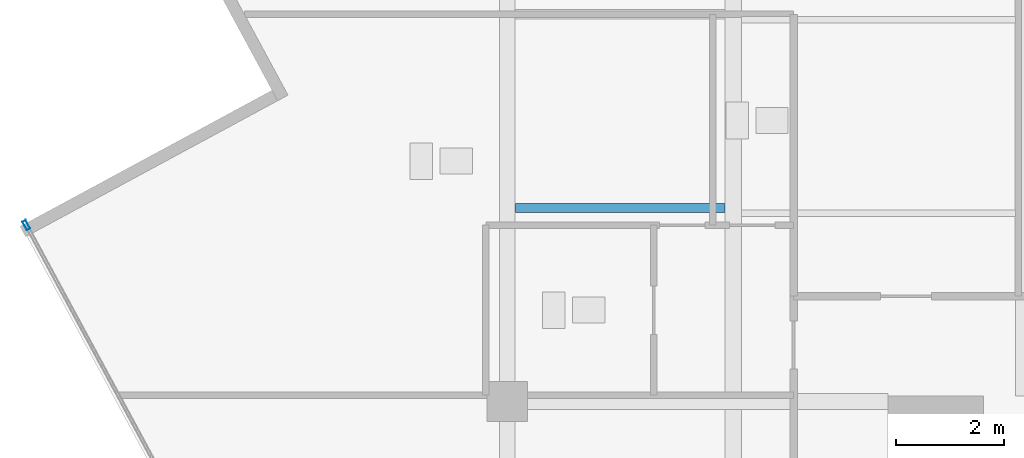
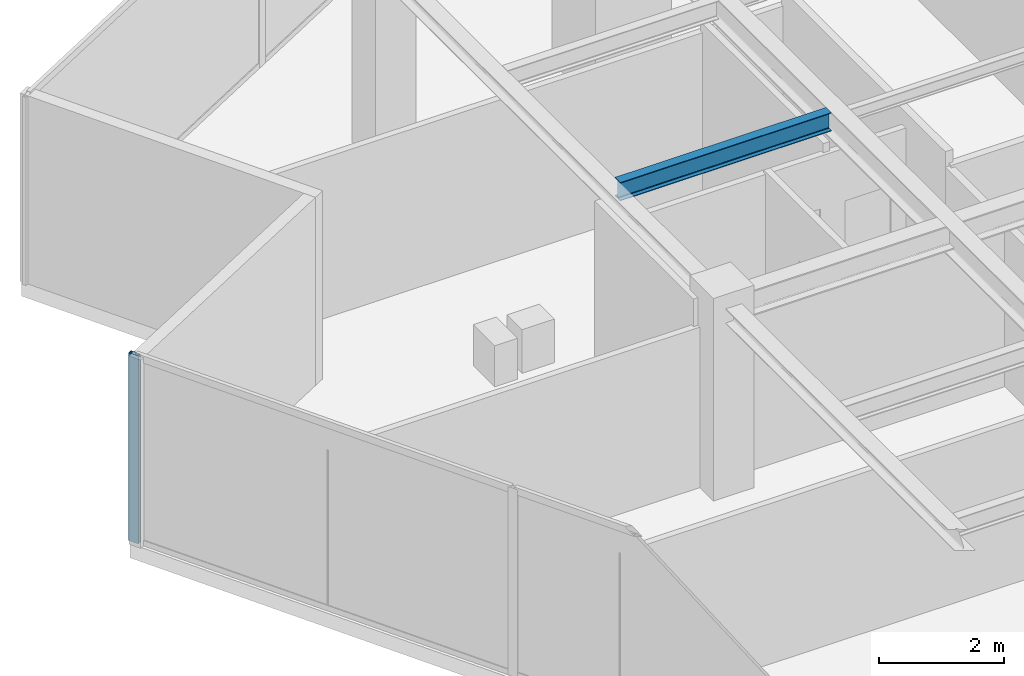
# One storey, part 6 of 22: 1 beam, 1 member, 1 element without a shape of its own.
"""IFC4 building model written with IfcOpenShell, lengths in metres."""

import ifcopenshell
import ifcopenshell.guid

model = None  # the IFC model being written
_history = None  # IfcOwnerHistory: only IFC2X3 demands one
_inside = {}  # id of a spatial element -> (the spatial element, [elements in it])
_under = {}  # id of a project, library or spatial element -> (it, [spatial elements below it])
_declared = {}  # id of a project -> (the project, [libraries it declares])
_typed = {}  # id of a type object -> (the type object, [elements of that type])
_made_of = {}  # id of a material, layer set ... -> (it, [elements and type objects made of it])


def new_model(schema):
    """Start an empty IFC model of exactly this schema.

    Asked for "IFC4X3", IfcOpenShell would pick the latest addendum, in which some entities
    have other attributes; the version numbers below select the first issue.
    IFC2X3 requires an IfcOwnerHistory on every rooted entity: one is made here for all.
    """
    global model, _history
    if schema == "IFC4X3":
        model = ifcopenshell.file(schema_version=(4, 3, 0, 0))
    else:
        model = ifcopenshell.file(schema=schema)
    _inside.clear()
    _under.clear()
    _declared.clear()
    _typed.clear()
    _made_of.clear()
    _history = None
    if model.schema == "IFC2X3":
        org = make("IfcOrganization", Name="unknown")
        user = make(
            "IfcPersonAndOrganization",
            ThePerson=make("IfcPerson", FamilyName="unknown"),
            TheOrganization=org,
        )
        app = make(
            "IfcApplication",
            ApplicationDeveloper=org,
            Version="unknown",
            ApplicationFullName="unknown",
            ApplicationIdentifier="unknown",
        )
        _history = make(
            "IfcOwnerHistory",
            OwningUser=user,
            OwningApplication=app,
            ChangeAction="ADDED",
            CreationDate=0,
        )
    return model


def make(cls, **values):
    """One entity of the class cls with the attributes given. An attribute that is None is left unset."""
    return model.create_entity(
        cls, **{name: value for name, value in values.items() if value is not None}
    )


def rooted(cls, **values):
    """An entity with a GlobalId (a new one), such as an element, a storey or a relation."""
    return make(cls, GlobalId=ifcopenshell.guid.new(), OwnerHistory=_history, **values)


def si_unit(unit_type, name, prefix=None):
    """IfcSIUnit, for example si_unit("LENGTHUNIT", "METRE", prefix="MILLI")."""
    return make("IfcSIUnit", UnitType=unit_type, Prefix=prefix, Name=name)


def assignment(units):
    """IfcUnitAssignment: the units of a project."""
    return None if units is None else make("IfcUnitAssignment", Units=units)


def point(xyz):
    """IfcCartesianPoint."""
    return None if xyz is None else make("IfcCartesianPoint", Coordinates=xyz)


def direction(xyz):
    """IfcDirection."""
    return None if xyz is None else make("IfcDirection", DirectionRatios=xyz)


def frame(location, z_axis=None, x_axis=None):
    """IfcAxis2Placement3D, a coordinate frame: its origin and axes. An axis left out is left unset."""
    return make(
        "IfcAxis2Placement3D",
        Location=point(location),
        Axis=direction(z_axis),
        RefDirection=direction(x_axis),
    )


def frame_2d(location, x_axis=None):
    """IfcAxis2Placement2D, a coordinate frame in the plane: its origin and x axis."""
    return make(
        "IfcAxis2Placement2D", Location=point(location), RefDirection=direction(x_axis)
    )


def origin():
    """The frame at (0, 0, 0) with its axes left unset."""
    return frame((0.0, 0.0, 0.0))


def origin_2d():
    """The frame at (0, 0) in the plane with its x axis left unset."""
    return frame_2d((0.0, 0.0))


def place(relative_to, where):
    """IfcLocalPlacement: puts the frame where relative to a parent placement (None: the world)."""
    return make(
        "IfcLocalPlacement", PlacementRelTo=relative_to, RelativePlacement=where
    )


def context(
    kind, dimensions, precision=None, world=None, true_north=None, identifier=None
):
    """IfcGeometricRepresentationContext, for example the 3D "Model" context."""
    return make(
        "IfcGeometricRepresentationContext",
        ContextIdentifier=identifier,
        ContextType=kind,
        CoordinateSpaceDimension=dimensions,
        Precision=precision,
        WorldCoordinateSystem=world,
        TrueNorth=true_north,
    )


def subcontext(parent, identifier, kind, view, scale=None):
    """IfcGeometricRepresentationSubContext, for example "Body" below "Model"."""
    return make(
        "IfcGeometricRepresentationSubContext",
        ContextIdentifier=identifier,
        ContextType=kind,
        ParentContext=parent,
        TargetScale=scale,
        TargetView=view,
    )


def project(units=None, contexts=None):
    """IfcProject with its units and contexts."""
    return rooted(
        "IfcProject",
        Name="project",
        RepresentationContexts=contexts,
        UnitsInContext=assignment(units),
    )


def spatial(cls, under=None, at=None, **own):
    """A site, building, storey or space (cls), placed at a placement, below another one or the project."""
    s = rooted(cls, ObjectPlacement=at, **own)
    if under is not None:
        _under.setdefault(under.id(), (under, []))[1].append(s)
    return s


def profile(cls, at=None, kind="AREA", **sizes):
    """A parametric profile (cls). Its sizes go by their IFC names, for example OverallWidth=200.0."""
    return make(cls, ProfileType=kind, Position=at, **sizes)


def hollow_rectangle(**sizes):
    """IfcRectangleHollowProfileDef."""
    return profile("IfcRectangleHollowProfileDef", **sizes)


def i_section(**sizes):
    """IfcIShapeProfileDef."""
    return profile("IfcIShapeProfileDef", **sizes)


def extrude(swept, where, along, depth):
    """IfcExtrudedAreaSolid: the profile swept, set in the frame where, extruded along a direction by depth."""
    return make(
        "IfcExtrudedAreaSolid",
        SweptArea=swept,
        Position=where,
        ExtrudedDirection=direction(along),
        Depth=depth,
    )


def shape(context_of_items, identifier, shape_type, items):
    """IfcShapeRepresentation: the items that make up one representation, for example the "Body"."""
    return make(
        "IfcShapeRepresentation",
        ContextOfItems=context_of_items,
        RepresentationIdentifier=identifier,
        RepresentationType=shape_type,
        Items=items,
    )


def source(mapping_origin, context_of_items, identifier, shape_type, items):
    """IfcRepresentationMap: a shape defined once, which mapped items show again and again."""
    return make(
        "IfcRepresentationMap",
        MappingOrigin=mapping_origin,
        MappedRepresentation=shape(context_of_items, identifier, shape_type, items),
    )


def transform(
    local_origin,
    x_axis=None,
    y_axis=None,
    z_axis=None,
    scale=None,
    scale2=None,
    scale3=None,
    uniform=True,
):
    """IfcCartesianTransformationOperator3D, or its non-uniform kind. x_axis, y_axis, z_axis: its Axis1, 2, 3."""
    if uniform:
        return make(
            "IfcCartesianTransformationOperator3D",
            Axis1=direction(x_axis),
            Axis2=direction(y_axis),
            LocalOrigin=point(local_origin),
            Scale=scale,
            Axis3=direction(z_axis),
        )
    return make(
        "IfcCartesianTransformationOperator3DnonUniform",
        Axis1=direction(x_axis),
        Axis2=direction(y_axis),
        LocalOrigin=point(local_origin),
        Scale=scale,
        Axis3=direction(z_axis),
        Scale2=scale2,
        Scale3=scale3,
    )


def mapped(mapping_source, mapping_target):
    """IfcMappedItem: shows the shape of a source again, moved by a transform."""
    return make(
        "IfcMappedItem", MappingSource=mapping_source, MappingTarget=mapping_target
    )


def material(Name=None, Category=None):
    """IfcMaterial."""
    return make("IfcMaterial", Name=Name, Category=Category)


def material_profile(
    of_material, cross_section, Name=None, Category=None, Priority=None
):
    """IfcMaterialProfile: a cross section and its material."""
    return make(
        "IfcMaterialProfile",
        Name=Name,
        Material=of_material,
        Profile=cross_section,
        Priority=Priority,
        Category=Category,
    )


def profile_set(profiles, Name=None, composite=None):
    """IfcMaterialProfileSet."""
    return make(
        "IfcMaterialProfileSet",
        Name=Name,
        MaterialProfiles=profiles,
        CompositeProfile=composite,
    )


def made_of(thing, what):
    """Note that an element or type object is made of a material, layer set ...; save() writes the relation."""
    if what is not None:
        _made_of.setdefault(what.id(), (what, []))[1].append(thing)
    return thing


def type_object(cls, material=None, **own):
    """A type object (cls), such as IfcWallType, which elements share."""
    return made_of(rooted(cls, **own), material)


def type_shapes(of_type, sources):
    """Give a type object the sources (RepresentationMaps) that its elements show as mapped items."""
    of_type.RepresentationMaps = sources


def element(
    cls,
    number,
    at=None,
    inside=None,
    cuts=None,
    type_object=None,
    material=None,
    context=None,
    identifier="Body",
    shape_type=None,
    held_by="IfcProductDefinitionShape",
    body=None,
    shapes=None,
    **own,
):
    """One element of the class cls, such as IfcWall. Its Tag is "e" and its number.

    at: its placement. inside: the storey or other place that contains it. cuts: it is an
    opening in that element (IfcRelVoidsElement). A single representation is given by context,
    identifier, shape_type and body (its items); several are given by shapes. held_by: the class
    of the entity that holds the representations. save() writes the other relations.
    """
    e = rooted(cls, Tag="e%d" % number, ObjectPlacement=at, **own)
    if body is not None:
        shapes = [shape(context, identifier, shape_type, body)]
    if shapes is not None:
        e.Representation = make(held_by, Representations=shapes)
    if inside is not None:
        _inside.setdefault(inside.id(), (inside, []))[1].append(e)
    if cuts is not None:
        rooted(
            "IfcRelVoidsElement", RelatingBuildingElement=cuts, RelatedOpeningElement=e
        )
    if type_object is not None:
        _typed.setdefault(type_object.id(), (type_object, []))[1].append(e)
    return made_of(e, material)


def aggregate(whole, parts):
    """IfcRelAggregates: a whole, such as a stair, and the parts it consists of."""
    return rooted("IfcRelAggregates", RelatingObject=whole, RelatedObjects=parts)


def save(model, path):
    """Write the relations noted so far, then the file.

    IfcRelAggregates (storeys below a building ...), IfcRelContainedInSpatialStructure (elements
    in a storey), IfcRelDefinesByType, IfcRelAssociatesMaterial and IfcRelDeclares: one each for
    every whole, place, type object, material and project.
    """
    for whole, parts in _under.values():
        aggregate(whole, parts)
    for where, things in _inside.values():
        rooted(
            "IfcRelContainedInSpatialStructure",
            RelatedElements=things,
            RelatingStructure=where,
        )
    for kind, things in _typed.values():
        rooted("IfcRelDefinesByType", RelatedObjects=things, RelatingType=kind)
    for what, things in _made_of.values():
        rooted("IfcRelAssociatesMaterial", RelatedObjects=things, RelatingMaterial=what)
    for by, libraries in _declared.values():
        rooted("IfcRelDeclares", RelatingContext=by, RelatedDefinitions=libraries)
    model.write(path)


model = new_model("IFC4")

# Units and contexts
model_context = context("Model", 3, precision=1e-05, world=origin(), true_north=direction((0.0, 1.0)))
body_context = subcontext(model_context, "Body", "Model", "MODEL_VIEW")
ifc_project = project(units=[si_unit("LENGTHUNIT", "METRE"), si_unit("AREAUNIT", "SQUARE_METRE"), si_unit("VOLUMEUNIT", "CUBIC_METRE"), si_unit("PLANEANGLEUNIT", "RADIAN"), si_unit("MASSUNIT", "GRAM", prefix="KILO")], contexts=[model_context])

# Site, building, storey
site_placement = place(None, origin())
site = spatial("IfcSite", under=ifc_project, at=site_placement, CompositionType="ELEMENT")
building_placement = place(site_placement, origin())
building = spatial("IfcBuilding", under=site, at=building_placement, Name="Krantzveldt Concourse Tower", CompositionType="ELEMENT")
storey_placement = place(building_placement, frame((0.0, 0.0, 302.949951171875)))
storey = spatial("IfcBuildingStorey", under=building, at=storey_placement, Name="L74", CompositionType="ELEMENT", Elevation=302.949951171875)

# Beam
ifc_material_1 = material(Name="Steel S355JR", Category="steel")
ifc_material_profile_1 = material_profile(ifc_material_1, i_section(OverallWidth=0.169921875, OverallDepth=0.360107421875, WebThickness=0.008056640625, FlangeThickness=0.0126953125, FilletRadius=0.01806640625, at=origin_2d()), Name="Steel S355JR", Category="steel")
ifc_profile_set_1 = profile_set([ifc_material_profile_1], Name="Steel S355JR - IPE 360")
beam_type = type_object("IfcBeamType", Name="BM-J-IPE360", PredefinedType="JOIST", material=ifc_profile_set_1)
shared_shape_1 = source(origin(), body_context, "Body", "SweptSolid", [
    extrude(i_section(OverallWidth=0.169921875, OverallDepth=0.360107421875, WebThickness=0.008056640625, FlangeThickness=0.0126953125, FilletRadius=0.01806640625, at=origin_2d()), origin(), (0.0, 0.0, 1.0), 3.900146484375),
])
type_shapes(beam_type, [shared_shape_1])
beam_placement = place(storey_placement, frame((21.14990234375, 30.300048828125, 3.489990234375), z_axis=(1.0, 0.0, 0.0), x_axis=(0.0, 1.0, 0.0)))
element("IfcBeam", 1, at=beam_placement, inside=storey, type_object=beam_type, Name="L74 Secondary Floor Joist JW-3", PredefinedType="JOIST", context=body_context, shape_type="MappedRepresentation", body=[
    mapped(shared_shape_1, transform((0.0, 0.0, 0.0), x_axis=(1.0, 0.0, 0.0), y_axis=(0.0, 1.0, 0.0), z_axis=(0.0, 0.0, 1.0), scale=1.0)),
])

# Curtain wall, member
ifc_material_2 = material(Name="Anodised aluminium 6063-T6", Category="aluminium")
curtain_wall_type = type_object("IfcCurtainWallType", Name="CW4", PredefinedType="USERDEFINED", material=ifc_material_2)
curtain_wall_placement = place(storey_placement, origin())
curtain_wall = element("IfcCurtainWall", 2, at=curtain_wall_placement, inside=storey, type_object=curtain_wall_type, Name="CW-L74-F04", ObjectType="UNITISED CURTAIN WALL", PredefinedType="USERDEFINED")
ifc_material_profile_2 = material_profile(ifc_material_2, hollow_rectangle(XDim=0.070068359375, YDim=0.179931640625, WallThickness=0.0048828125, at=origin_2d()), Name="Anodised aluminium 6063-T6", Category="aluminium")
ifc_profile_set_2 = profile_set([ifc_material_profile_2], Name="Anodised aluminium 6063-T6 - ALU-MULL 180x70x5")
member_type = type_object("IfcMemberType", Name="CW-MUL-180", PredefinedType="MULLION", material=ifc_profile_set_2)
shared_shape_2 = source(origin(), body_context, "Body", "SweptSolid", [
    extrude(hollow_rectangle(XDim=0.070068359375, YDim=0.179931640625, WallThickness=0.0048828125, at=origin_2d()), origin(), (0.0, 0.0, 1.0), 3.670166015625),
])
type_shapes(member_type, [shared_shape_2])
member_placement = place(storey_placement, frame((12.0546875, 29.979248046875, 0.0), z_axis=(0.0, 0.0, 1.0), x_axis=(0.87985605875, 0.475240271736, 0.0)))
member = element("IfcMember", 3, at=member_placement, type_object=member_type, Name="CW-Z56 mullion 1", PredefinedType="MULLION", context=body_context, shape_type="MappedRepresentation", body=[
    mapped(shared_shape_2, transform((0.0, 0.0, 0.0), x_axis=(1.0, 0.0, 0.0), y_axis=(0.0, 1.0, 0.0), z_axis=(0.0, 0.0, 1.0), scale=1.0)),
])
aggregate(curtain_wall, [member])

save(model, "model.ifc")
